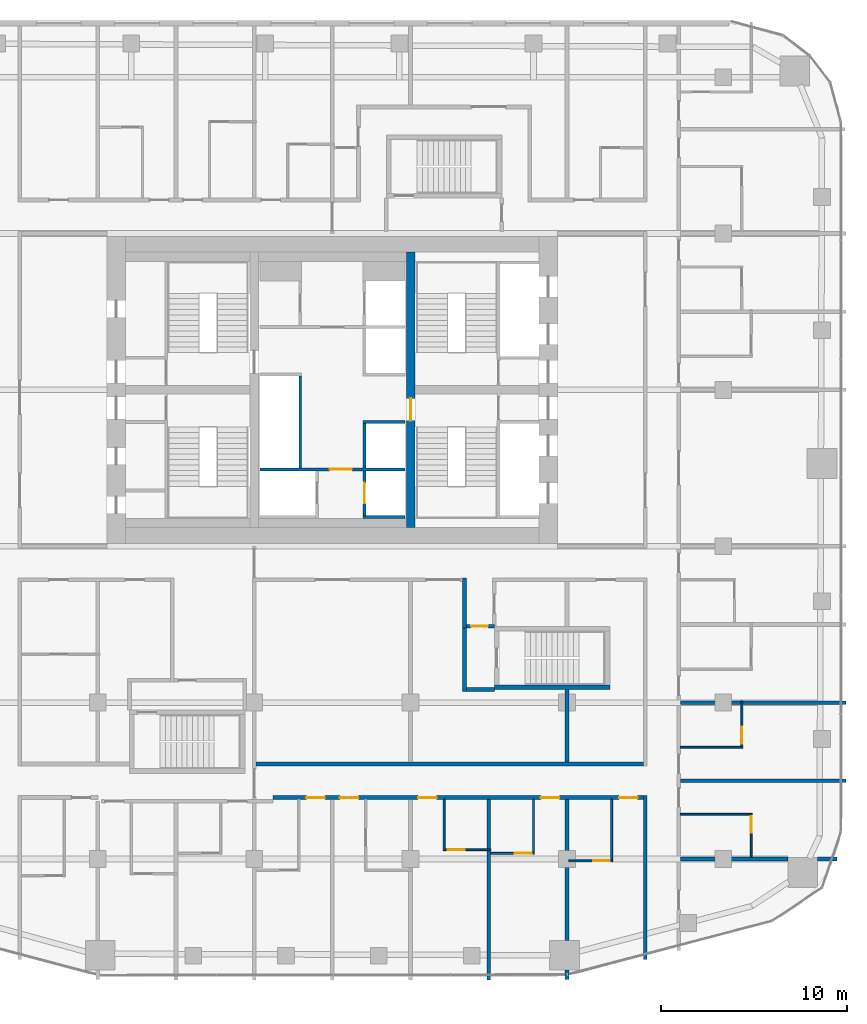
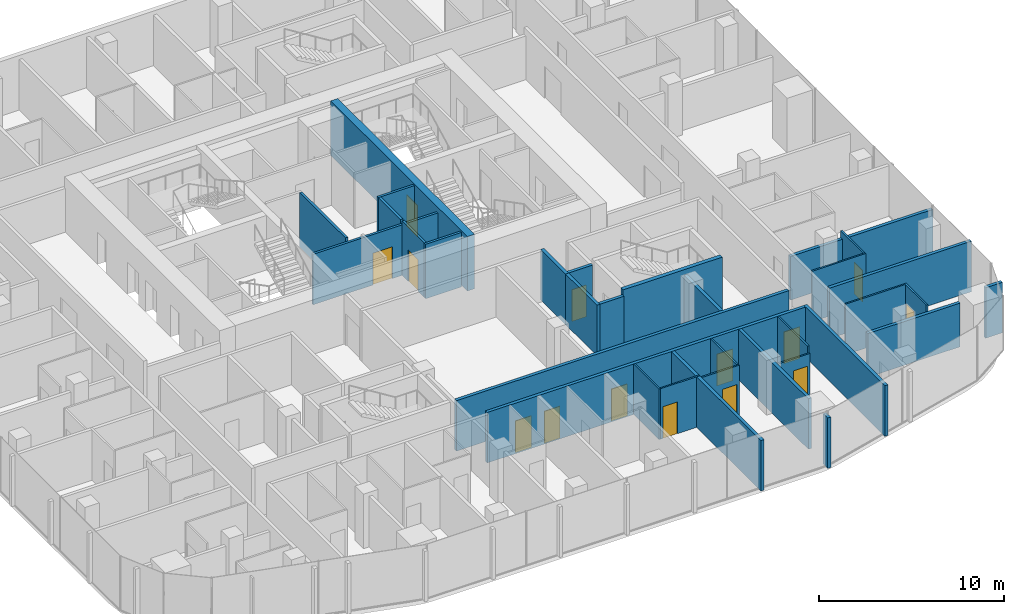
# One storey, part 16 of 23: 33 walls, 14 doors, 14 openings.
"""IFC4 building model written with IfcOpenShell, lengths in metres."""

from ifc_helpers import new_model, si_unit, direction, frame, frame_2d, origin, place, context, subcontext, project, spatial, rectangle, extrude, material, layer, layer_set, type_object, element, fill, save


model = new_model("IFC4")

# Units and contexts
model_context = context("Model", 3, precision=1e-05, world=origin(), true_north=direction((0.0, 1.0)))
body_context = subcontext(model_context, "Body", "Model", "MODEL_VIEW")
ifc_project = project(units=[si_unit("LENGTHUNIT", "METRE"), si_unit("AREAUNIT", "SQUARE_METRE"), si_unit("VOLUMEUNIT", "CUBIC_METRE"), si_unit("PLANEANGLEUNIT", "RADIAN"), si_unit("MASSUNIT", "GRAM", prefix="KILO")], contexts=[model_context])

# Site, building, storey
site_placement = place(None, origin())
site = spatial("IfcSite", under=ifc_project, at=site_placement, CompositionType="ELEMENT")
building_placement = place(site_placement, origin())
building = spatial("IfcBuilding", under=site, at=building_placement, Name="Marenta Gate Hotel Tower", CompositionType="ELEMENT")
storey_placement = place(building_placement, frame((0.0, 0.0, 112.10009765625)))
storey = spatial("IfcBuildingStorey", under=building, at=storey_placement, Name="L24", CompositionType="ELEMENT", Elevation=112.10009765625)

# Wall, opening, door
ifc_material_1 = material(Name="Concrete blockwork", Category="masonry")
ifc_layer_1 = layer(ifc_material_1, 0.14990234375)
ifc_layer_set_1 = layer_set([ifc_layer_1], Name="Concrete blockwork")
wall_type_1 = type_object("IfcWallType", Name="Core lobby partition 150 REI 180", PredefinedType="PARTITIONING", material=ifc_layer_set_1)
wall_1_placement = place(storey_placement, frame((-3.89990234375, 4.125, 0.0), z_axis=(0.0, 0.0, 1.0), x_axis=(1.0, 0.0, 0.0)))
wall_1 = element("IfcWall", 1, at=wall_1_placement, inside=storey, type_object=wall_type_1, Name="L24-CP-CW-S", PredefinedType="PARTITIONING", context=body_context, shape_type="SweptSolid", body=[
    extrude(rectangle(XDim=7.7998046875, YDim=0.14990234375, at=frame_2d((3.89990234375, 0.0))), origin(), (0.0, 0.0, 1.0), 3.33984375),
])
opening_1_placement = place(wall_1_placement, frame((3.75, 0.0, 0.0)))
opening_1 = element("IfcOpeningElement", 2, at=opening_1_placement, cuts=wall_1, Name="Opening FD-FFS", PredefinedType="OPENING", context=body_context, shape_type="SweptSolid", body=[
    extrude(rectangle(XDim=1.199951171875, YDim=2.10009765625, at=frame_2d((0.60009765625, 1.050048828125))), frame((0.0, 0.074951171875, 0.0), z_axis=(0.0, -1.0, 0.0), x_axis=(1.0, 0.0, 0.0)), (0.0, 0.0, 1.0), 0.14990234375),
])
ifc_material_2 = material(Name="Steel", Category="steel")
door_type_1 = type_object("IfcDoorType", Name="Core lobby door 1200x2100 FD60", OperationType="SINGLE_SWING_LEFT", PredefinedType="DOOR", material=ifc_material_2)
door_1_placement = place(opening_1_placement, origin())
door_1 = element("IfcDoor", 3, at=door_1_placement, inside=storey, type_object=door_type_1, Name="FD-FFS", OperationType="SINGLE_SWING_LEFT", OverallHeight=2.10009765625, OverallWidth=1.199951171875, PredefinedType="DOOR", context=body_context, shape_type="SweptSolid", body=[
    extrude(rectangle(XDim=1.199951171875, YDim=2.10009765625, at=frame_2d((0.60009765625, 1.050048828125))), frame((0.0, 0.02490234375, 0.0), z_axis=(0.0, -1.0, 0.0), x_axis=(1.0, 0.0, 0.0)), (0.0, 0.0, 1.0), 0.050048828125),
])
fill(opening_1, door_1)

# Wall
ifc_material_3 = material(Name="Concrete C40", Category="concrete")
ifc_layer_2 = layer(ifc_material_3, 0.14990234375)
ifc_layer_set_2 = layer_set([ifc_layer_2], Name="Concrete C40")
wall_type_2 = type_object("IfcWallType", Name="Core shaft wall 150 REI 180", PredefinedType="SHEAR", material=ifc_layer_set_2)
wall_2_placement = place(storey_placement, frame((-1.72509765625, 4.199951171875, 0.0), z_axis=(0.0, 0.0, 1.0), x_axis=(0.0, 1.0, 0.0)))
element("IfcWall", 4, at=wall_2_placement, inside=storey, type_object=wall_type_2, Name="L24-SHF-CW-W-front", PredefinedType="SHEAR", context=body_context, shape_type="SweptSolid", body=[
    extrude(rectangle(XDim=4.949951171875, YDim=0.14990234375, at=frame_2d((2.47509765625, 0.0))), origin(), (0.0, 0.0, 1.0), 3.599853515625),
])

# Wall, opening, door
wall_3_placement = place(storey_placement, frame((1.72509765625, 1.64990234375, 0.0), z_axis=(0.0, 0.0, 1.0), x_axis=(0.0, 1.0, 0.0)))
wall_3 = element("IfcWall", 5, at=wall_3_placement, inside=storey, type_object=wall_type_2, Name="L24-SHF-CE-S-ls", PredefinedType="SHEAR", context=body_context, shape_type="SweptSolid", body=[
    extrude(rectangle(XDim=2.400146484375, YDim=0.14990234375, at=frame_2d((1.2001953125, 0.0))), origin(), (0.0, 0.0, 1.0), 3.599853515625),
])
opening_2_placement = place(wall_3_placement, frame((0.64990234375, 0.0, 0.0)))
opening_2 = element("IfcOpeningElement", 6, at=opening_2_placement, cuts=wall_3, Name="Opening LD-SV1", PredefinedType="OPENING", context=body_context, shape_type="SweptSolid", body=[
    extrude(rectangle(XDim=1.10009765625, YDim=2.10009765625, at=frame_2d((0.550048828125, 1.050048828125))), frame((0.0, 0.074951171875, 0.0), z_axis=(0.0, -1.0, 0.0), x_axis=(1.0, 0.0, 0.0)), (0.0, 0.0, 1.0), 0.14990234375),
])
ifc_material_4 = material(Name="Steel", Category="steel")
door_type_2 = type_object("IfcDoorType", Name="Core lift landing door 1100x2100 E 60", OperationType="SLIDING_TO_LEFT", PredefinedType="DOOR", material=ifc_material_4)
door_2_placement = place(opening_2_placement, origin())
door_2 = element("IfcDoor", 7, at=door_2_placement, inside=storey, type_object=door_type_2, Name="LD-SV1", OperationType="SLIDING_TO_LEFT", OverallHeight=2.10009765625, OverallWidth=1.10009765625, PredefinedType="DOOR", context=body_context, shape_type="SweptSolid", body=[
    extrude(rectangle(XDim=1.10009765625, YDim=2.10009765625, at=frame_2d((0.550048828125, 1.050048828125))), frame((0.0, 0.02490234375, 0.0), z_axis=(0.0, -1.0, 0.0), x_axis=(1.0, 0.0, 0.0)), (0.0, 0.0, 1.0), 0.050048828125),
])
fill(opening_2, door_2)

# Walls
for number, where, z_axis, x_axis, name in (
    (8, (1.64990234375, 1.574951171875, 0.0), (0.0, 0.0, 1.0), (1.0, 0.0, 0.0), "L24-SHF-CE-S-bot"),
    (9, (1.64990234375, 6.675048828125, 0.0), (0.0, 0.0, 1.0), (1.0, 0.0, 0.0), "L24-SHF-CE-sep1"),
):
    element("IfcWall", number, at=place(storey_placement, frame(where, z_axis=z_axis, x_axis=x_axis)), inside=storey, type_object=wall_type_2, Name=name, PredefinedType="SHEAR", context=body_context, shape_type="SweptSolid", body=[
        extrude(rectangle(XDim=2.25, YDim=0.14990234375, at=frame_2d((1.125, 0.0))), origin(), (0.0, 0.0, 1.0), 3.599853515625),
    ])
wall_4_placement = place(storey_placement, frame((1.72509765625, 4.199951171875, 0.0), z_axis=(0.0, 0.0, 1.0), x_axis=(0.0, 1.0, 0.0)))
element("IfcWall", 10, at=wall_4_placement, inside=storey, type_object=wall_type_2, Name="L24-SHF-CE-front-1", PredefinedType="SHEAR", context=body_context, shape_type="SweptSolid", body=[
    extrude(rectangle(XDim=2.400146484375, YDim=0.14990234375, at=frame_2d((1.2001953125, 0.0))), origin(), (0.0, 0.0, 1.0), 3.599853515625),
])

# Wall, opening, door
ifc_material_5 = material(Name="Concrete C70", Category="concrete")
ifc_layer_3 = layer(ifc_material_5, 0.449951171875)
ifc_layer_set_3 = layer_set([ifc_layer_3], Name="Concrete C70")
wall_type_3 = type_object("IfcWallType", Name="Core web 450 C70", PredefinedType="SHEAR", material=ifc_layer_set_3)
wall_5_placement = place(storey_placement, frame((4.199951171875, 1.0, 0.0), z_axis=(0.0, 0.0, 1.0), x_axis=(0.0, 1.0, 0.0)))
wall_5 = element("IfcWall", 11, at=wall_5_placement, inside=storey, type_object=wall_type_3, Name="L24-CORE-W2", PredefinedType="SHEAR", context=body_context, shape_type="SweptSolid", body=[
    extrude(rectangle(XDim=14.800048828125, YDim=0.449951171875, at=frame_2d((7.39990234375, 0.0))), origin(), (0.0, 0.0, 1.0), 3.599853515625),
])
opening_3_placement = place(wall_5_placement, frame((5.75, 0.0, 0.0)))
opening_3 = element("IfcOpeningElement", 12, at=opening_3_placement, cuts=wall_5, Name="Opening WD-E", PredefinedType="OPENING", context=body_context, shape_type="SweptSolid", body=[
    extrude(rectangle(XDim=1.199951171875, YDim=2.10009765625, at=frame_2d((0.60009765625, 1.050048828125))), frame((0.0, 0.22509765625, 0.0), z_axis=(0.0, -1.0, 0.0), x_axis=(1.0, 0.0, 0.0)), (0.0, 0.0, 1.0), 0.449951171875),
])
ifc_material_6 = material(Name="Steel", Category="steel")
door_type_3 = type_object("IfcDoorType", Name="Core stair door 1200x2100 FD60", OperationType="SINGLE_SWING_LEFT", PredefinedType="DOOR", material=ifc_material_6)
door_3_placement = place(opening_3_placement, origin())
door_3 = element("IfcDoor", 13, at=door_3_placement, inside=storey, type_object=door_type_3, Name="WD-E", OperationType="SINGLE_SWING_LEFT", OverallHeight=2.10009765625, OverallWidth=1.199951171875, PredefinedType="DOOR", context=body_context, shape_type="SweptSolid", body=[
    extrude(rectangle(XDim=1.199951171875, YDim=2.10009765625, at=frame_2d((0.60009765625, 1.050048828125))), frame((0.0, 0.02490234375, 0.0), z_axis=(0.0, -1.0, 0.0), x_axis=(1.0, 0.0, 0.0)), (0.0, 0.0, 1.0), 0.050048828125),
])
fill(opening_3, door_3)

# Walls
ifc_material_7 = material(Name="Concrete C40", Category="concrete")
ifc_layer_4 = layer(ifc_material_7, 0.25)
ifc_layer_set_4 = layer_set([ifc_layer_4], Name="Concrete C40")
wall_type_4 = type_object("IfcWallType", Name="Remote stair enclosure wall 250 REI 180", PredefinedType="SHEAR", material=ifc_layer_set_4)
wall_6_placement = place(storey_placement, frame((8.699951171875, -7.574951171875, 0.099853515625), z_axis=(0.0, 0.0, 1.0), x_axis=(1.0, 0.0, 0.0)))
element("IfcWall", 14, at=wall_6_placement, inside=storey, type_object=wall_type_4, Name="L24-RS-Z2-2-W1", PredefinedType="SHEAR", context=body_context, shape_type="SweptSolid", body=[
    extrude(rectangle(XDim=6.199951171875, YDim=0.25, at=frame_2d((3.10009765625, 0.0))), origin(), (0.0, 0.0, 1.0), 3.60009765625),
])
ifc_material_8 = material(Name="Gypsum board on steel stud", Category="steel")
ifc_layer_5 = layer(ifc_material_8, 0.199951171875)
ifc_layer_set_5 = layer_set([ifc_layer_5], Name="Gypsum board on steel stud")
wall_type_5 = type_object("IfcWallType", Name="Room corridor wall 200 EI 60", PredefinedType="PARTITIONING", material=ifc_layer_set_5)
wall_7_placement = place(storey_placement, frame((16.800048828125, -22.18603515625, 0.0), z_axis=(0.0, 0.0, 1.0), x_axis=(0.0, 1.0, 0.0)))
element("IfcWall", 15, at=wall_7_placement, inside=storey, type_object=wall_type_5, Name="L24-PTN-W016", PredefinedType="PARTITIONING", context=body_context, shape_type="SweptSolid", body=[
    extrude(rectangle(XDim=8.7861328125, YDim=0.199951171875, at=frame_2d((4.39306640625, 0.0))), origin(), (0.0, 0.0, 1.0), 3.33984375),
])

# Wall, openings, doors
wall_8_placement = place(storey_placement, frame((-3.199951171875, -13.5, 0.0), z_axis=(0.0, 0.0, 1.0), x_axis=(1.0, 0.0, 0.0)))
wall_8 = element("IfcWall", 16, at=wall_8_placement, inside=storey, type_object=wall_type_5, Name="L24-PTN-W030", PredefinedType="PARTITIONING", context=body_context, shape_type="SweptSolid", body=[
    extrude(rectangle(XDim=19.89990234375, YDim=0.199951171875, at=frame_2d((9.949951171875, 0.0))), origin(), (0.0, 0.0, 1.0), 3.33984375),
])
opening_4_placement = place(wall_8_placement, frame((1.800048828125, 0.0, 0.0)))
opening_4 = element("IfcOpeningElement", 17, at=opening_4_placement, cuts=wall_8, Name="Opening G08-43", PredefinedType="OPENING", context=body_context, shape_type="SweptSolid", body=[
    extrude(rectangle(XDim=1.0, YDim=2.10009765625, at=frame_2d((0.5, 1.050048828125))), frame((0.0, 0.10009765625, 0.0), z_axis=(0.0, -1.0, 0.0), x_axis=(1.0, 0.0, 0.0)), (0.0, 0.0, 1.0), 0.199951171875),
])
opening_5_placement = place(wall_8_placement, frame((3.60009765625, 0.0, 0.0)))
opening_5 = element("IfcOpeningElement", 18, at=opening_5_placement, cuts=wall_8, Name="Opening G08-45", PredefinedType="OPENING", context=body_context, shape_type="SweptSolid", body=[
    extrude(rectangle(XDim=1.0, YDim=2.10009765625, at=frame_2d((0.5, 1.050048828125))), frame((0.0, 0.10009765625, 0.0), z_axis=(0.0, -1.0, 0.0), x_axis=(1.0, 0.0, 0.0)), (0.0, 0.0, 1.0), 0.199951171875),
])
opening_6_placement = place(wall_8_placement, frame((7.800048828125, 0.0, 0.0)))
opening_6 = element("IfcOpeningElement", 19, at=opening_6_placement, cuts=wall_8, Name="Opening G08-47", PredefinedType="OPENING", context=body_context, shape_type="SweptSolid", body=[
    extrude(rectangle(XDim=1.0, YDim=2.10009765625, at=frame_2d((0.5, 1.050048828125))), frame((0.0, 0.10009765625, 0.0), z_axis=(0.0, -1.0, 0.0), x_axis=(1.0, 0.0, 0.0)), (0.0, 0.0, 1.0), 0.199951171875),
])
opening_7_placement = place(wall_8_placement, frame((14.39990234375, 0.0, 0.0)))
opening_7 = element("IfcOpeningElement", 20, at=opening_7_placement, cuts=wall_8, Name="Opening G08-49", PredefinedType="OPENING", context=body_context, shape_type="SweptSolid", body=[
    extrude(rectangle(XDim=1.0, YDim=2.10009765625, at=frame_2d((0.5, 1.050048828125))), frame((0.0, 0.10009765625, 0.0), z_axis=(0.0, -1.0, 0.0), x_axis=(1.0, 0.0, 0.0)), (0.0, 0.0, 1.0), 0.199951171875),
])
opening_8_placement = place(wall_8_placement, frame((18.60009765625, 0.0, 0.0)))
opening_8 = element("IfcOpeningElement", 21, at=opening_8_placement, cuts=wall_8, Name="Opening G08-51", PredefinedType="OPENING", context=body_context, shape_type="SweptSolid", body=[
    extrude(rectangle(XDim=1.0, YDim=2.10009765625, at=frame_2d((0.5, 1.050048828125))), frame((0.0, 0.10009765625, 0.0), z_axis=(0.0, -1.0, 0.0), x_axis=(1.0, 0.0, 0.0)), (0.0, 0.0, 1.0), 0.199951171875),
])
ifc_material_9 = material(Name="Timber door leaf", Category="wood")
door_type_4 = type_object("IfcDoorType", Name="Guest room door 1000x2100 EI 30", OperationType="NOTDEFINED", PredefinedType="DOOR", material=ifc_material_9)
door_4_placement = place(opening_4_placement, origin())
door_4 = element("IfcDoor", 22, at=door_4_placement, inside=storey, type_object=door_type_4, Name="L24-PD-D043", OperationType="SINGLE_SWING_LEFT", OverallHeight=2.10009765625, OverallWidth=1.0, PredefinedType="DOOR", context=body_context, shape_type="SweptSolid", body=[
    extrude(rectangle(XDim=1.0, YDim=2.10009765625, at=frame_2d((0.5, 1.050048828125))), frame((0.0, 0.02490234375, 0.0), z_axis=(0.0, -1.0, 0.0), x_axis=(1.0, 0.0, 0.0)), (0.0, 0.0, 1.0), 0.050048828125),
])
fill(opening_4, door_4)
door_5_placement = place(opening_5_placement, origin())
door_5 = element("IfcDoor", 23, at=door_5_placement, inside=storey, type_object=door_type_4, Name="L24-PD-D045", OperationType="SINGLE_SWING_LEFT", OverallHeight=2.10009765625, OverallWidth=1.0, PredefinedType="DOOR", context=body_context, shape_type="SweptSolid", body=[
    extrude(rectangle(XDim=1.0, YDim=2.10009765625, at=frame_2d((0.5, 1.050048828125))), frame((0.0, 0.02490234375, 0.0), z_axis=(0.0, -1.0, 0.0), x_axis=(1.0, 0.0, 0.0)), (0.0, 0.0, 1.0), 0.050048828125),
])
fill(opening_5, door_5)
door_6_placement = place(opening_6_placement, origin())
door_6 = element("IfcDoor", 24, at=door_6_placement, inside=storey, type_object=door_type_4, Name="L24-PD-D047", OperationType="SINGLE_SWING_LEFT", OverallHeight=2.10009765625, OverallWidth=1.0, PredefinedType="DOOR", context=body_context, shape_type="SweptSolid", body=[
    extrude(rectangle(XDim=1.0, YDim=2.10009765625, at=frame_2d((0.5, 1.050048828125))), frame((0.0, 0.02490234375, 0.0), z_axis=(0.0, -1.0, 0.0), x_axis=(1.0, 0.0, 0.0)), (0.0, 0.0, 1.0), 0.050048828125),
])
fill(opening_6, door_6)
door_7_placement = place(opening_7_placement, origin())
door_7 = element("IfcDoor", 25, at=door_7_placement, inside=storey, type_object=door_type_4, Name="L24-PD-D049", OperationType="SINGLE_SWING_LEFT", OverallHeight=2.10009765625, OverallWidth=1.0, PredefinedType="DOOR", context=body_context, shape_type="SweptSolid", body=[
    extrude(rectangle(XDim=1.0, YDim=2.10009765625, at=frame_2d((0.5, 1.050048828125))), frame((0.0, 0.02490234375, 0.0), z_axis=(0.0, -1.0, 0.0), x_axis=(1.0, 0.0, 0.0)), (0.0, 0.0, 1.0), 0.050048828125),
])
fill(opening_7, door_7)
door_8_placement = place(opening_8_placement, origin())
door_8 = element("IfcDoor", 26, at=door_8_placement, inside=storey, type_object=door_type_4, Name="L24-PD-D051", OperationType="SINGLE_SWING_LEFT", OverallHeight=2.10009765625, OverallWidth=1.0, PredefinedType="DOOR", context=body_context, shape_type="SweptSolid", body=[
    extrude(rectangle(XDim=1.0, YDim=2.10009765625, at=frame_2d((0.5, 1.050048828125))), frame((0.0, 0.02490234375, 0.0), z_axis=(0.0, -1.0, 0.0), x_axis=(1.0, 0.0, 0.0)), (0.0, 0.0, 1.0), 0.050048828125),
])
fill(opening_8, door_8)

# Walls
wall_9_placement = place(storey_placement, frame((-4.10009765625, -11.699951171875, 0.0), z_axis=(0.0, 0.0, 1.0), x_axis=(1.0, 0.0, 0.0)))
element("IfcWall", 27, at=wall_9_placement, inside=storey, type_object=wall_type_5, Name="L24-PTN-W038", PredefinedType="PARTITIONING", context=body_context, shape_type="SweptSolid", body=[
    extrude(rectangle(XDim=20.800048828125, YDim=0.199951171875, at=frame_2d((10.39990234375, 0.0))), origin(), (0.0, 0.0, 1.0), 3.33984375),
])
wall_10_placement = place(storey_placement, frame((7.10009765625, -4.39990234375, 0.0), z_axis=(0.0, 0.0, 1.0), x_axis=(0.0, 1.0, 0.0)))
element("IfcWall", 28, at=wall_10_placement, inside=storey, type_object=wall_type_5, Name="L24-PTN-W052", PredefinedType="PARTITIONING", context=body_context, shape_type="SweptSolid", body=[
    extrude(rectangle(XDim=2.699951171875, YDim=0.199951171875, at=frame_2d((1.35009765625, 0.0))), origin(), (0.0, 0.0, 1.0), 3.33984375),
])

# Wall, opening, door
ifc_material_10 = material(Name="Concrete blockwork", Category="masonry")
ifc_layer_6 = layer(ifc_material_10, 0.199951171875)
ifc_layer_set_6 = layer_set([ifc_layer_6], Name="Concrete blockwork")
wall_type_6 = type_object("IfcWallType", Name="Room corridor wall 200 REI 180", PredefinedType="PARTITIONING", material=ifc_layer_set_6)
wall_11_placement = place(storey_placement, frame((7.199951171875, -4.300048828125, 0.0), z_axis=(0.0, 0.0, 1.0), x_axis=(1.0, 0.0, 0.0)))
wall_11 = element("IfcWall", 29, at=wall_11_placement, inside=storey, type_object=wall_type_6, Name="L24-PTN-W057", PredefinedType="PARTITIONING", context=body_context, shape_type="SweptSolid", body=[
    extrude(rectangle(XDim=1.5, YDim=0.199951171875, at=frame_2d((0.75, 0.0))), origin(), (0.0, 0.0, 1.0), 3.33984375),
])
opening_9_placement = place(wall_11_placement, frame((0.25, 0.0, 0.0)))
opening_9 = element("IfcOpeningElement", 30, at=opening_9_placement, cuts=wall_11, Name="Opening G08-68", PredefinedType="OPENING", context=body_context, shape_type="SweptSolid", body=[
    extrude(rectangle(XDim=0.89990234375, YDim=2.10009765625, at=frame_2d((0.449951171875, 1.050048828125))), frame((0.0, 0.10009765625, 0.0), z_axis=(0.0, -1.0, 0.0), x_axis=(1.0, 0.0, 0.0)), (0.0, 0.0, 1.0), 0.199951171875),
])
ifc_material_11 = material(Name="Hollow steel door set", Category="steel")
door_type_5 = type_object("IfcDoorType", Name="Stair vestibule door 900x2100 EI 60", OperationType="NOTDEFINED", PredefinedType="DOOR", material=ifc_material_11)
door_9_placement = place(opening_9_placement, origin())
door_9 = element("IfcDoor", 31, at=door_9_placement, inside=storey, type_object=door_type_5, Name="L24-PD-D068", OperationType="SINGLE_SWING_RIGHT", OverallHeight=2.10009765625, OverallWidth=0.89990234375, PredefinedType="DOOR", context=body_context, shape_type="SweptSolid", body=[
    extrude(rectangle(XDim=0.89990234375, YDim=2.10009765625, at=frame_2d((0.449951171875, 1.050048828125))), frame((0.0, 0.02490234375, 0.0), z_axis=(0.0, -1.0, 0.0), x_axis=(1.0, 0.0, 0.0)), (0.0, 0.0, 1.0), 0.050048828125),
])
fill(opening_9, door_9)

ifc_material_12 = material(Name="Gypsum board on steel stud", Category="steel")
ifc_layer_7 = layer(ifc_material_12, 0.10009765625)
ifc_layer_set_7 = layer_set([ifc_layer_7], Name="Gypsum board on steel stud")
wall_type_7 = type_object("IfcWallType", Name="Room partition 100", PredefinedType="PARTITIONING", material=ifc_layer_set_7)
wall_12_placement = place(storey_placement, frame((22.5, -16.699951171875, 0.0), z_axis=(0.0, 0.0, 1.0), x_axis=(0.0, 1.0, 0.0)))
wall_12 = element("IfcWall", 32, at=wall_12_placement, inside=storey, type_object=wall_type_7, Name="L24-PTN-W001", PredefinedType="PARTITIONING", context=body_context, shape_type="SweptSolid", body=[
    extrude(rectangle(XDim=2.349853515625, YDim=0.10009765625, at=frame_2d((1.1748046875, 0.0))), origin(), (0.0, 0.0, 1.0), 3.33984375),
])
opening_10_placement = place(wall_12_placement, frame((1.300048828125, 0.0, 0.0)))
opening_10 = element("IfcOpeningElement", 33, at=opening_10_placement, cuts=wall_12, Name="Opening G08-09", PredefinedType="OPENING", context=body_context, shape_type="SweptSolid", body=[
    extrude(rectangle(XDim=0.89990234375, YDim=2.10009765625, at=frame_2d((0.449951171875, 1.050048828125))), frame((0.0, 0.050048828125, 0.0), z_axis=(0.0, -1.0, 0.0), x_axis=(1.0, 0.0, 0.0)), (0.0, 0.0, 1.0), 0.10009765625),
])
ifc_material_13 = material(Name="Timber door leaf", Category="wood")
door_type_6 = type_object("IfcDoorType", Name="Guest bathroom door 900x2100", OperationType="NOTDEFINED", PredefinedType="DOOR", material=ifc_material_13)
door_10_placement = place(opening_10_placement, origin())
door_10 = element("IfcDoor", 34, at=door_10_placement, inside=storey, type_object=door_type_6, Name="L24-PD-D009", OperationType="SINGLE_SWING_RIGHT", OverallHeight=2.10009765625, OverallWidth=0.89990234375, PredefinedType="DOOR", context=body_context, shape_type="SweptSolid", body=[
    extrude(rectangle(XDim=0.89990234375, YDim=2.10009765625, at=frame_2d((0.449951171875, 1.050048828125))), frame((0.0, 0.02490234375, 0.0), z_axis=(0.0, -1.0, 0.0), x_axis=(1.0, 0.0, 0.0)), (0.0, 0.0, 1.0), 0.050048828125),
])
fill(opening_10, door_10)

wall_13_placement = place(storey_placement, frame((22.0, -10.75, 0.0), z_axis=(0.0, 0.0, 1.0), x_axis=(0.0, 1.0, 0.0)))
wall_13 = element("IfcWall", 35, at=wall_13_placement, inside=storey, type_object=wall_type_7, Name="L24-PTN-W005", PredefinedType="PARTITIONING", context=body_context, shape_type="SweptSolid", body=[
    extrude(rectangle(XDim=2.449951171875, YDim=0.10009765625, at=frame_2d((1.22509765625, 0.0))), origin(), (0.0, 0.0, 1.0), 3.33984375),
])
opening_11_placement = place(wall_13_placement, frame((0.14990234375, 0.0, 0.0)))
opening_11 = element("IfcOpeningElement", 36, at=opening_11_placement, cuts=wall_13, Name="Opening G08-11", PredefinedType="OPENING", context=body_context, shape_type="SweptSolid", body=[
    extrude(rectangle(XDim=0.89990234375, YDim=2.10009765625, at=frame_2d((0.449951171875, 1.050048828125))), frame((0.0, 0.050048828125, 0.0), z_axis=(0.0, -1.0, 0.0), x_axis=(1.0, 0.0, 0.0)), (0.0, 0.0, 1.0), 0.10009765625),
])
door_11_placement = place(opening_11_placement, origin())
door_11 = element("IfcDoor", 37, at=door_11_placement, inside=storey, type_object=door_type_6, Name="L24-PD-D011", OperationType="SINGLE_SWING_LEFT", OverallHeight=2.10009765625, OverallWidth=0.89990234375, PredefinedType="DOOR", context=body_context, shape_type="SweptSolid", body=[
    extrude(rectangle(XDim=0.89990234375, YDim=2.10009765625, at=frame_2d((0.449951171875, 1.050048828125))), frame((0.0, 0.02490234375, 0.0), z_axis=(0.0, -1.0, 0.0), x_axis=(1.0, 0.0, 0.0)), (0.0, 0.0, 1.0), 0.050048828125),
])
fill(opening_11, door_11)

wall_14_placement = place(storey_placement, frame((12.699951171875, -16.89990234375, 0.0), z_axis=(0.0, 0.0, 1.0), x_axis=(1.0, 0.0, 0.0)))
wall_14 = element("IfcWall", 38, at=wall_14_placement, inside=storey, type_object=wall_type_7, Name="L24-PTN-W015", PredefinedType="PARTITIONING", context=body_context, shape_type="SweptSolid", body=[
    extrude(rectangle(XDim=2.35009765625, YDim=0.10009765625, at=frame_2d((1.175048828125, 0.0))), origin(), (0.0, 0.0, 1.0), 2.889892578125),
])
opening_12_placement = place(wall_14_placement, frame((1.300048828125, 0.0, 0.0)))
opening_12 = element("IfcOpeningElement", 39, at=opening_12_placement, cuts=wall_14, Name="Opening G08-52", PredefinedType="OPENING", context=body_context, shape_type="SweptSolid", body=[
    extrude(rectangle(XDim=0.89990234375, YDim=2.10009765625, at=frame_2d((0.449951171875, 1.050048828125))), frame((0.0, 0.050048828125, 0.0), z_axis=(0.0, -1.0, 0.0), x_axis=(1.0, 0.0, 0.0)), (0.0, 0.0, 1.0), 0.10009765625),
])
door_12_placement = place(opening_12_placement, origin())
door_12 = element("IfcDoor", 40, at=door_12_placement, inside=storey, type_object=door_type_6, Name="L24-PD-D052", OperationType="SINGLE_SWING_RIGHT", OverallHeight=2.10009765625, OverallWidth=0.89990234375, PredefinedType="DOOR", context=body_context, shape_type="SweptSolid", body=[
    extrude(rectangle(XDim=0.89990234375, YDim=2.10009765625, at=frame_2d((0.449951171875, 1.050048828125))), frame((0.0, 0.02490234375, 0.0), z_axis=(0.0, -1.0, 0.0), x_axis=(1.0, 0.0, 0.0)), (0.0, 0.0, 1.0), 0.050048828125),
])
fill(opening_12, door_12)

wall_15_placement = place(storey_placement, frame((8.5, -16.5, 0.0), z_axis=(0.0, 0.0, 1.0), x_axis=(1.0, 0.0, 0.0)))
wall_15 = element("IfcWall", 41, at=wall_15_placement, inside=storey, type_object=wall_type_7, Name="L24-PTN-W022", PredefinedType="PARTITIONING", context=body_context, shape_type="SweptSolid", body=[
    extrude(rectangle(XDim=2.35009765625, YDim=0.10009765625, at=frame_2d((1.175048828125, 0.0))), origin(), (0.0, 0.0, 1.0), 3.33984375),
])
opening_13_placement = place(wall_15_placement, frame((1.300048828125, 0.0, 0.0)))
opening_13 = element("IfcOpeningElement", 42, at=opening_13_placement, cuts=wall_15, Name="Opening G08-50", PredefinedType="OPENING", context=body_context, shape_type="SweptSolid", body=[
    extrude(rectangle(XDim=0.89990234375, YDim=2.10009765625, at=frame_2d((0.449951171875, 1.050048828125))), frame((0.0, 0.050048828125, 0.0), z_axis=(0.0, -1.0, 0.0), x_axis=(1.0, 0.0, 0.0)), (0.0, 0.0, 1.0), 0.10009765625),
])
door_13_placement = place(opening_13_placement, origin())
door_13 = element("IfcDoor", 43, at=door_13_placement, inside=storey, type_object=door_type_6, Name="L24-PD-D050", OperationType="SINGLE_SWING_RIGHT", OverallHeight=2.10009765625, OverallWidth=0.89990234375, PredefinedType="DOOR", context=body_context, shape_type="SweptSolid", body=[
    extrude(rectangle(XDim=0.89990234375, YDim=2.10009765625, at=frame_2d((0.449951171875, 1.050048828125))), frame((0.0, 0.02490234375, 0.0), z_axis=(0.0, -1.0, 0.0), x_axis=(1.0, 0.0, 0.0)), (0.0, 0.0, 1.0), 0.050048828125),
])
fill(opening_13, door_13)

wall_16_placement = place(storey_placement, frame((6.050048828125, -16.300048828125, 0.0), z_axis=(0.0, 0.0, 1.0), x_axis=(1.0, 0.0, 0.0)))
wall_16 = element("IfcWall", 44, at=wall_16_placement, inside=storey, type_object=wall_type_7, Name="L24-PTN-W023", PredefinedType="PARTITIONING", context=body_context, shape_type="SweptSolid", body=[
    extrude(rectangle(XDim=2.449951171875, YDim=0.10009765625, at=frame_2d((1.22509765625, 0.0))), origin(), (0.0, 0.0, 1.0), 3.33984375),
])
opening_14_placement = place(wall_16_placement, frame((0.14990234375, 0.0, 0.0)))
opening_14 = element("IfcOpeningElement", 45, at=opening_14_placement, cuts=wall_16, Name="Opening G08-48", PredefinedType="OPENING", context=body_context, shape_type="SweptSolid", body=[
    extrude(rectangle(XDim=0.89990234375, YDim=2.10009765625, at=frame_2d((0.449951171875, 1.050048828125))), frame((0.0, 0.050048828125, 0.0), z_axis=(0.0, -1.0, 0.0), x_axis=(1.0, 0.0, 0.0)), (0.0, 0.0, 1.0), 0.10009765625),
])
door_14_placement = place(opening_14_placement, origin())
door_14 = element("IfcDoor", 46, at=door_14_placement, inside=storey, type_object=door_type_6, Name="L24-PD-D048", OperationType="SINGLE_SWING_LEFT", OverallHeight=2.10009765625, OverallWidth=0.89990234375, PredefinedType="DOOR", context=body_context, shape_type="SweptSolid", body=[
    extrude(rectangle(XDim=0.89990234375, YDim=2.10009765625, at=frame_2d((0.449951171875, 1.050048828125))), frame((0.0, 0.02490234375, 0.0), z_axis=(0.0, -1.0, 0.0), x_axis=(1.0, 0.0, 0.0)), (0.0, 0.0, 1.0), 0.050048828125),
])
fill(opening_14, door_14)

# Walls
wall_17_placement = place(storey_placement, frame((15.0, -16.85009765625, 0.0), z_axis=(0.0, 0.0, 1.0), x_axis=(0.0, 1.0, 0.0)))
element("IfcWall", 47, at=wall_17_placement, inside=storey, type_object=wall_type_7, Name="L24-PTN-W024", PredefinedType="PARTITIONING", context=body_context, shape_type="SweptSolid", body=[
    extrude(rectangle(XDim=3.25, YDim=0.10009765625, at=frame_2d((1.625, 0.0))), origin(), (0.0, 0.0, 1.0), 3.33984375),
])
wall_18_placement = place(storey_placement, frame((18.699951171875, -14.39990234375, 0.0), z_axis=(0.0, 0.0, 1.0), x_axis=(1.0, 0.0, 0.0)))
element("IfcWall", 48, at=wall_18_placement, inside=storey, type_object=wall_type_7, Name="L24-PTN-W027", PredefinedType="PARTITIONING", context=body_context, shape_type="SweptSolid", body=[
    extrude(rectangle(XDim=3.75, YDim=0.10009765625, at=frame_2d((1.875, 0.0))), origin(), (0.0, 0.0, 1.0), 3.33984375),
])
wall_19_placement = place(storey_placement, frame((10.800048828125, -16.449951171875, 0.0), z_axis=(0.0, 0.0, 1.0), x_axis=(0.0, 1.0, 0.0)))
element("IfcWall", 49, at=wall_19_placement, inside=storey, type_object=wall_type_7, Name="L24-PTN-W039", PredefinedType="PARTITIONING", context=body_context, shape_type="SweptSolid", body=[
    extrude(rectangle(XDim=2.849853515625, YDim=0.10009765625, at=frame_2d((1.4248046875, 0.0))), origin(), (0.0, 0.0, 1.0), 3.33984375),
])
wall_20_placement = place(storey_placement, frame((18.699951171875, -10.800048828125, 0.0), z_axis=(0.0, 0.0, 1.0), x_axis=(1.0, 0.0, 0.0)))
element("IfcWall", 50, at=wall_20_placement, inside=storey, type_object=wall_type_7, Name="L24-PTN-W041", PredefinedType="PARTITIONING", context=body_context, shape_type="SweptSolid", body=[
    extrude(rectangle(XDim=3.35009765625, YDim=0.10009765625, at=frame_2d((1.675048828125, 0.0))), origin(), (0.0, 0.0, 1.0), 3.33984375),
])
wall_21_placement = place(storey_placement, frame((6.0, -16.35009765625, 0.0), z_axis=(0.0, 0.0, 1.0), x_axis=(0.0, 1.0, 0.0)))
element("IfcWall", 51, at=wall_21_placement, inside=storey, type_object=wall_type_7, Name="L24-PTN-W055", PredefinedType="PARTITIONING", context=body_context, shape_type="SweptSolid", body=[
    extrude(rectangle(XDim=2.75, YDim=0.10009765625, at=frame_2d((1.375, 0.0))), origin(), (0.0, 0.0, 1.0), 3.33984375),
])
ifc_material_14 = material(Name="Gypsum board on steel stud", Category="steel")
ifc_layer_8 = layer(ifc_material_14, 0.199951171875)
ifc_layer_set_8 = layer_set([ifc_layer_8], Name="Gypsum board on steel stud")
wall_type_8 = type_object("IfcWallType", Name="Room party wall 200 EI 60", PredefinedType="PARTITIONING", material=ifc_layer_set_8)
wall_22_placement = place(storey_placement, frame((18.699951171875, -16.800048828125, 0.0), z_axis=(0.0, 0.0, 1.0), x_axis=(1.0, 0.0, 0.0)))
element("IfcWall", 52, at=wall_22_placement, inside=storey, type_object=wall_type_8, Name="L24-PTN-W020", PredefinedType="PARTITIONING", context=body_context, shape_type="SweptSolid", body=[
    extrude(rectangle(XDim=5.762939453125, YDim=0.199951171875, at=frame_2d((2.88134765625, 0.0))), origin(), (0.0, 0.0, 1.0), 2.889892578125),
])
wall_23_placement = place(storey_placement, frame((26.06298828125, -16.800048828125, 0.0), z_axis=(0.0, 0.0, 1.0), x_axis=(1.0, 0.0, 0.0)))
element("IfcWall", 53, at=wall_23_placement, inside=storey, type_object=wall_type_8, Name="L24-PTN-W131", PredefinedType="PARTITIONING", context=body_context, shape_type="SweptSolid", body=[
    extrude(rectangle(XDim=1.049072265625, YDim=0.199951171875, at=frame_2d((0.5244140625, 0.0))), origin(), (0.0, 0.0, 1.0), 3.33984375),
])
wall_24_placement = place(storey_placement, frame((12.60009765625, -23.26611328125, 0.0), z_axis=(0.0, 0.0, 1.0), x_axis=(0.0, 1.0, 0.0)))
element("IfcWall", 54, at=wall_24_placement, inside=storey, type_object=wall_type_8, Name="L24-PTN-W031", PredefinedType="PARTITIONING", context=body_context, shape_type="SweptSolid", body=[
    extrude(rectangle(XDim=0.4912109375, YDim=0.199951171875, at=frame_2d((0.24560546875, 0.0))), origin(), (0.0, 0.0, 1.0), 3.33984375),
])
wall_25_placement = place(storey_placement, frame((12.60009765625, -21.175048828125, 0.0), z_axis=(0.0, 0.0, 1.0), x_axis=(0.0, 1.0, 0.0)))
element("IfcWall", 55, at=wall_25_placement, inside=storey, type_object=wall_type_8, Name="L24-PTN-W132", PredefinedType="PARTITIONING", context=body_context, shape_type="SweptSolid", body=[
    extrude(rectangle(XDim=7.574951171875, YDim=0.199951171875, at=frame_2d((3.78759765625, 0.0))), origin(), (0.0, 0.0, 1.0), 3.33984375),
])
wall_26_placement = place(storey_placement, frame((12.60009765625, -11.60009765625, 0.0), z_axis=(0.0, 0.0, 1.0), x_axis=(0.0, 1.0, 0.0)))
element("IfcWall", 56, at=wall_26_placement, inside=storey, type_object=wall_type_8, Name="L24-PTN-W032", PredefinedType="PARTITIONING", context=body_context, shape_type="SweptSolid", body=[
    extrude(rectangle(XDim=3.900146484375, YDim=0.199951171875, at=frame_2d((1.9501953125, 0.0))), origin(), (0.0, 0.0, 1.0), 3.33984375),
])
wall_27_placement = place(storey_placement, frame((18.699951171875, -12.60009765625, 0.0), z_axis=(0.0, 0.0, 1.0), x_axis=(1.0, 0.0, 0.0)))
element("IfcWall", 57, at=wall_27_placement, inside=storey, type_object=wall_type_8, Name="L24-PTN-W036", PredefinedType="PARTITIONING", context=body_context, shape_type="SweptSolid", body=[
    extrude(rectangle(XDim=8.900146484375, YDim=0.199951171875, at=frame_2d((4.4501953125, 0.0))), origin(), (0.0, 0.0, 1.0), 3.33984375),
])
wall_28_placement = place(storey_placement, frame((8.39990234375, -23.300048828125, 0.0), z_axis=(0.0, 0.0, 1.0), x_axis=(0.0, 1.0, 0.0)))
element("IfcWall", 58, at=wall_28_placement, inside=storey, type_object=wall_type_8, Name="L24-PTN-W045", PredefinedType="PARTITIONING", context=body_context, shape_type="SweptSolid", body=[
    extrude(rectangle(XDim=9.699951171875, YDim=0.199951171875, at=frame_2d((4.85009765625, 0.0))), origin(), (0.0, 0.0, 1.0), 3.33984375),
])
wall_29_placement = place(storey_placement, frame((18.699951171875, -8.39990234375, 0.0), z_axis=(0.0, 0.0, 1.0), x_axis=(1.0, 0.0, 0.0)))
element("IfcWall", 59, at=wall_29_placement, inside=storey, type_object=wall_type_8, Name="L24-PTN-W047", PredefinedType="PARTITIONING", context=body_context, shape_type="SweptSolid", body=[
    extrude(rectangle(XDim=8.900146484375, YDim=0.199951171875, at=frame_2d((4.4501953125, 0.0))), origin(), (0.0, 0.0, 1.0), 2.889892578125),
])
ifc_material_15 = material(Name="Concrete blockwork", Category="masonry")
ifc_layer_9 = layer(ifc_material_15, 0.199951171875)
ifc_layer_set_9 = layer_set([ifc_layer_9], Name="Concrete blockwork")
wall_type_9 = type_object("IfcWallType", Name="Room party wall 200 REI 180", PredefinedType="PARTITIONING", material=ifc_layer_set_9)
wall_30_placement = place(storey_placement, frame((7.199951171875, -7.699951171875, 0.0), z_axis=(0.0, 0.0, 1.0), x_axis=(1.0, 0.0, 0.0)))
element("IfcWall", 60, at=wall_30_placement, inside=storey, type_object=wall_type_9, Name="L24-PTN-W048", PredefinedType="PARTITIONING", context=body_context, shape_type="SweptSolid", body=[
    extrude(rectangle(XDim=1.5, YDim=0.199951171875, at=frame_2d((0.75, 0.0))), origin(), (0.0, 0.0, 1.0), 3.33984375),
])
wall_31_placement = place(storey_placement, frame((7.10009765625, -7.800048828125, 0.0), z_axis=(0.0, 0.0, 1.0), x_axis=(0.0, 1.0, 0.0)))
element("IfcWall", 61, at=wall_31_placement, inside=storey, type_object=wall_type_9, Name="L24-PTN-W051", PredefinedType="PARTITIONING", context=body_context, shape_type="SweptSolid", body=[
    extrude(rectangle(XDim=3.400146484375, YDim=0.199951171875, at=frame_2d((1.7001953125, 0.0))), origin(), (0.0, 0.0, 1.0), 3.33984375),
])

save(model, "model.ifc")
